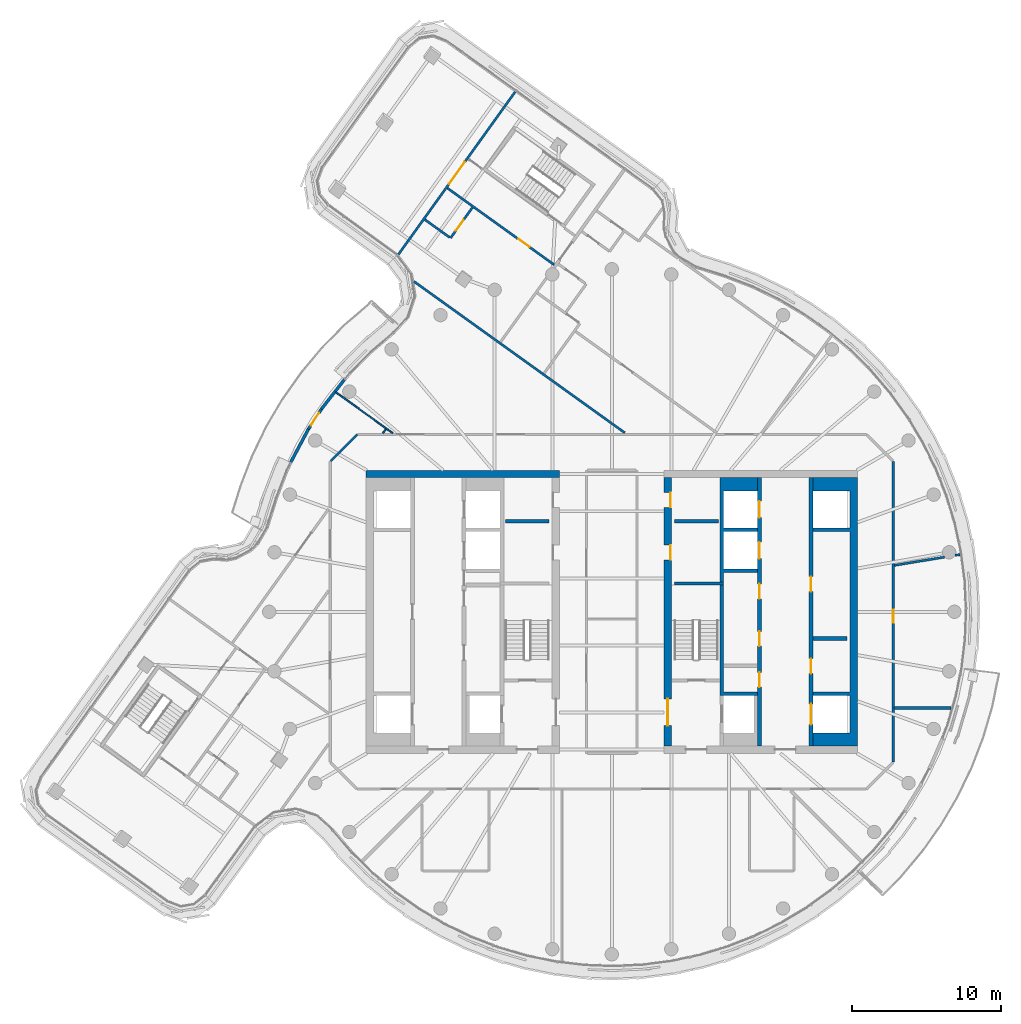
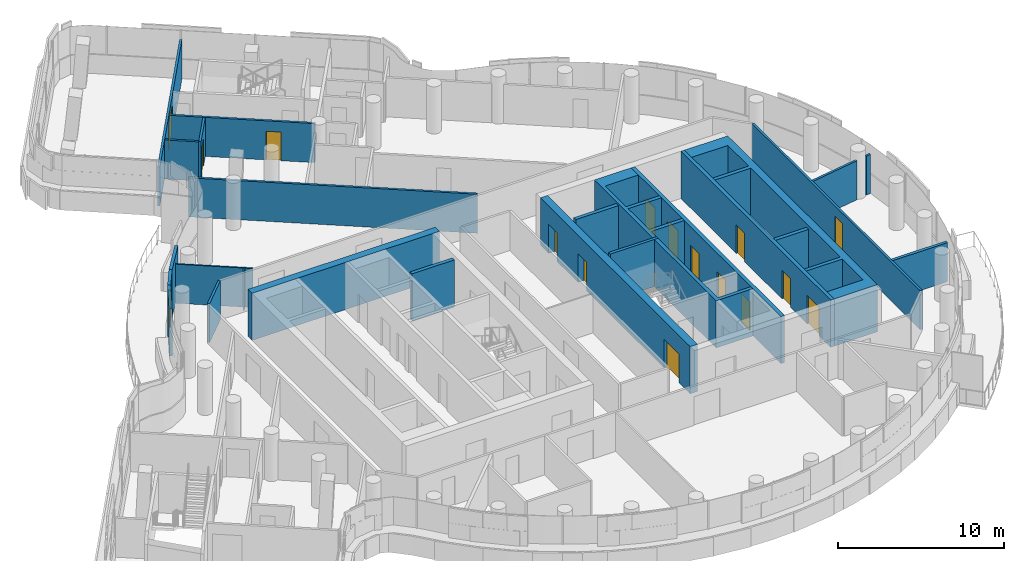
# One storey, part 19 of 27: 25 walls, 16 doors, 16 openings.
"""IFC4 building model written with IfcOpenShell, lengths in metres."""

from ifc_helpers import new_model, si_unit, direction, frame, frame_2d, origin, place, context, subcontext, project, spatial, polyline, rectangle, outline, extrude, material, layer, layer_set, type_object, element, fill, save


model = new_model("IFC4")

# Units and contexts
model_context = context("Model", 3, precision=1e-05, world=origin(), true_north=direction((0.0, 1.0)))
body_context = subcontext(model_context, "Body", "Model", "MODEL_VIEW")
ifc_project = project(units=[si_unit("LENGTHUNIT", "METRE"), si_unit("AREAUNIT", "SQUARE_METRE"), si_unit("VOLUMEUNIT", "CUBIC_METRE"), si_unit("PLANEANGLEUNIT", "RADIAN"), si_unit("MASSUNIT", "GRAM", prefix="KILO")], contexts=[model_context])

# Site, building, storey
site_placement = place(None, origin())
site = spatial("IfcSite", under=ifc_project, at=site_placement, CompositionType="ELEMENT")
building_placement = place(site_placement, origin())
building = spatial("IfcBuilding", under=site, at=building_placement, Name="Tamarind Cross Interchange Tower", CompositionType="ELEMENT")
storey_placement = place(building_placement, frame((0.0, 0.0, 230.699951171875)))
storey = spatial("IfcBuildingStorey", under=building, at=storey_placement, Name="L58", CompositionType="ELEMENT", Elevation=230.699951171875)

# Walls
ifc_material_1 = material(Name="Concrete C40", Category="concrete")
ifc_layer_1 = layer(ifc_material_1, 0.199951171875)
ifc_layer_set_1 = layer_set([ifc_layer_1], Name="Concrete C40")
wall_type_1 = type_object("IfcWallType", Name="Balcony and garden door wall", PredefinedType="SOLIDWALL", material=ifc_layer_set_1)
wall_1_placement = place(storey_placement, frame((-17.941162109375, 15.6064453125, 0.0), z_axis=(0.0, 0.0, 1.0), x_axis=(-0.614194041126, -0.789155041703, 0.0)))
element("IfcWall", 1, at=wall_1_placement, inside=storey, type_object=wall_type_1, Name="EXW-L58-06-D02L", PredefinedType="SOLIDWALL", context=body_context, shape_type="SweptSolid", body=[
    extrude(rectangle(XDim=2.533935546875, YDim=0.199951171875, at=frame_2d((1.26708984375, 0.0))), origin(), (0.0, 0.0, 1.0), 3.4599609375),
])
wall_2_placement = place(storey_placement, frame((-20.3681640625, 12.265869140625, 0.0), z_axis=(0.0, 0.0, 1.0), x_axis=(-0.470148137958, -0.882587518819, 0.0)))
element("IfcWall", 2, at=wall_2_placement, inside=storey, type_object=wall_type_1, Name="EXW-L58-06-D02R", PredefinedType="SOLIDWALL", context=body_context, shape_type="SweptSolid", body=[
    extrude(rectangle(XDim=2.5341796875, YDim=0.199951171875, at=frame_2d((1.26708984375, 0.0))), origin(), (0.0, 0.0, 1.0), 3.4599609375),
])

# Wall, opening, door
wall_3_placement = place(storey_placement, frame((-19.49755859375, 13.606689453125, 0.0), z_axis=(0.0, 0.0, 1.0), x_axis=(-0.54458033139, -0.838708687604, 0.0)))
wall_3 = element("IfcWall", 3, at=wall_3_placement, inside=storey, type_object=wall_type_1, Name="EXW-L58-06-D02", PredefinedType="SOLIDWALL", context=body_context, shape_type="SweptSolid", body=[
    extrude(rectangle(XDim=1.5986328125, YDim=0.199951171875, at=frame_2d((0.79931640625, 0.0))), origin(), (0.0, 0.0, 1.0), 3.4599609375),
])
opening_1_placement = place(wall_3_placement, frame((0.29931640625, 0.0, 0.0)))
opening_1 = element("IfcOpeningElement", 4, at=opening_1_placement, cuts=wall_3, Name="Opening D2", PredefinedType="OPENING", context=body_context, shape_type="SweptSolid", body=[
    extrude(rectangle(XDim=1.0, YDim=2.39990234375, at=frame_2d((0.5, 1.199951171875))), frame((0.0, 0.10986328125, 0.0), z_axis=(0.0, -1.0, 0.0), x_axis=(1.0, 0.0, 0.0)), (0.0, 0.0, 1.0), 0.219970703125),
])
ifc_material_2 = material(Name="Aluminium and toughened glass", Category="aluminium")
door_type_1 = type_object("IfcDoorType", Name="Balcony and garden door", OperationType="SINGLE_SWING_LEFT", PredefinedType="DOOR", material=ifc_material_2)
door_1_placement = place(opening_1_placement, origin())
door_1 = element("IfcDoor", 5, at=door_1_placement, inside=storey, type_object=door_type_1, Name="DOR-L58-06-02", OperationType="SINGLE_SWING_LEFT", OverallHeight=2.39990234375, OverallWidth=1.0, PredefinedType="DOOR", context=body_context, shape_type="SweptSolid", body=[
    extrude(rectangle(XDim=1.0, YDim=2.39990234375, at=frame_2d((0.5, 1.199951171875))), frame((0.0, 0.02490234375, 0.0), z_axis=(0.0, -1.0, 0.0), x_axis=(1.0, 0.0, 0.0)), (0.0, 0.0, 1.0), 0.050048828125),
])
fill(opening_1, door_1)

# Walls
ifc_material_3 = material(Name="Concrete C50", Category="concrete")
ifc_layer_2 = layer(ifc_material_3, 0.5)
ifc_layer_set_2 = layer_set([ifc_layer_2], Name="Concrete C50")
wall_type_2 = type_object("IfcWallType", Name="Core wall 500 mm Concrete C50", PredefinedType="SHEAR", material=ifc_layer_set_2)
wall_4_placement = place(storey_placement, frame((-16.5, 9.25, 0.0), z_axis=(0.0, 0.0, 1.0), x_axis=(1.0, 0.0, 0.0)))
element("IfcWall", 6, at=wall_4_placement, inside=storey, type_object=wall_type_2, Name="Core wall CWL-L58-W-NE", PredefinedType="SHEAR", context=body_context, shape_type="SweptSolid", body=[
    extrude(rectangle(XDim=13.0, YDim=0.5, at=frame_2d((6.5, 0.0))), origin(), (0.0, 0.0, 1.0), 3.4599609375),
])
wall_5_placement = place(storey_placement, origin())
element("IfcWall", 7, at=wall_5_placement, inside=storey, type_object=wall_type_2, Name="Core wall CWL-L58-E-A", PredefinedType="SHEAR", context=body_context, shape_type="SweptSolid", body=[
    extrude(outline(polyline([(13.5, -8.125), (13.5, -9.0), (16.0, -9.0), (16.5, -9.0), (16.5, 9.0), (16.0, 9.0), (13.5, 9.0), (13.5, 8.125), (16.0, 8.125), (16.0, 5.625), (13.5, 5.625), (13.5, 5.375), (16.0, 5.375), (16.0, -5.375), (13.5, -5.375), (13.5, -5.625), (16.0, -5.625), (16.0, -8.125), (13.5, -8.125)])), origin(), (0.0, 0.0, 1.0), 3.4599609375),
])

# Wall, openings, doors
wall_6_placement = place(storey_placement, frame((3.75, -9.0, 0.0), z_axis=(0.0, 0.0, 1.0), x_axis=(0.0, 1.0, 0.0)))
wall_6 = element("IfcWall", 8, at=wall_6_placement, inside=storey, type_object=wall_type_2, Name="Core wall CWL-L58-E-IN", PredefinedType="SHEAR", context=body_context, shape_type="SweptSolid", body=[
    extrude(rectangle(XDim=18.0, YDim=0.5, at=frame_2d((9.0, 0.0))), origin(), (0.0, 0.0, 1.0), 3.4599609375),
])
opening_2_placement = place(wall_6_placement, frame((1.35009765625, 0.0, 0.0)))
opening_2 = element("IfcOpeningElement", 9, at=opening_2_placement, cuts=wall_6, Name="Opening DCE4", PredefinedType="OPENING", context=body_context, shape_type="SweptSolid", body=[
    extrude(rectangle(XDim=1.800048828125, YDim=2.10009765625, at=frame_2d((0.89990234375, 1.050048828125))), frame((0.0, 0.260009765625, 0.0), z_axis=(0.0, -1.0, 0.0), x_axis=(1.0, 0.0, 0.0)), (0.0, 0.0, 1.0), 0.52001953125),
])
opening_3_placement = place(wall_6_placement, frame((12.4775390625, 0.0, 0.0)))
opening_3 = element("IfcOpeningElement", 10, at=opening_3_placement, cuts=wall_6, Name="Opening DCE5", PredefinedType="OPENING", context=body_context, shape_type="SweptSolid", body=[
    extrude(rectangle(XDim=1.0, YDim=2.10009765625, at=frame_2d((0.5, 1.050048828125))), frame((0.0, 0.260009765625, 0.0), z_axis=(0.0, -1.0, 0.0), x_axis=(1.0, 0.0, 0.0)), (0.0, 0.0, 1.0), 0.52001953125),
])
opening_4_placement = place(wall_6_placement, frame((16.00244140625, 0.0, 0.0)))
opening_4 = element("IfcOpeningElement", 11, at=opening_4_placement, cuts=wall_6, Name="Opening DCE5", PredefinedType="OPENING", context=body_context, shape_type="SweptSolid", body=[
    extrude(rectangle(XDim=1.0, YDim=2.10009765625, at=frame_2d((0.5, 1.050048828125))), frame((0.0, 0.260009765625, 0.0), z_axis=(0.0, -1.0, 0.0), x_axis=(1.0, 0.0, 0.0)), (0.0, 0.0, 1.0), 0.52001953125),
])
ifc_material_4 = material(Name="Steel, fire-resisting", Category="steel")
door_type_2 = type_object("IfcDoorType", Name="Core fire door 1000 x 2100 FD90", OperationType="SINGLE_SWING_LEFT", PredefinedType="DOOR", material=ifc_material_4)
door_2_placement = place(opening_3_placement, origin())
door_2 = element("IfcDoor", 12, at=door_2_placement, inside=storey, type_object=door_type_2, Name="L58 housekeeping pantry door", OperationType="SINGLE_SWING_LEFT", OverallHeight=2.10009765625, OverallWidth=1.0, PredefinedType="DOOR", context=body_context, shape_type="SweptSolid", body=[
    extrude(rectangle(XDim=1.0, YDim=2.10009765625, at=frame_2d((0.5, 1.050048828125))), frame((0.0, -0.1748046875, 0.0), z_axis=(0.0, -1.0, 0.0), x_axis=(1.0, 0.0, 0.0)), (0.0, 0.0, 1.0), 0.050048828125),
])
fill(opening_3, door_2)
door_3_placement = place(opening_4_placement, origin())
door_3 = element("IfcDoor", 13, at=door_3_placement, inside=storey, type_object=door_type_2, Name="L58 linen press door", OperationType="SINGLE_SWING_LEFT", OverallHeight=2.10009765625, OverallWidth=1.0, PredefinedType="DOOR", context=body_context, shape_type="SweptSolid", body=[
    extrude(rectangle(XDim=1.0, YDim=2.10009765625, at=frame_2d((0.5, 1.050048828125))), frame((0.0, -0.1748046875, 0.0), z_axis=(0.0, -1.0, 0.0), x_axis=(1.0, 0.0, 0.0)), (0.0, 0.0, 1.0), 0.050048828125),
])
fill(opening_4, door_3)
door_type_3 = type_object("IfcDoorType", Name="Core fire door 1800 x 2100 FD90", OperationType="SINGLE_SWING_LEFT", PredefinedType="DOOR", material=ifc_material_4)
door_4_placement = place(opening_2_placement, origin())
door_4 = element("IfcDoor", 14, at=door_4_placement, inside=storey, type_object=door_type_3, Name="L58 firefighting lobby door", OperationType="SINGLE_SWING_LEFT", OverallHeight=2.10009765625, OverallWidth=1.800048828125, PredefinedType="DOOR", context=body_context, shape_type="SweptSolid", body=[
    extrude(rectangle(XDim=1.800048828125, YDim=2.10009765625, at=frame_2d((0.89990234375, 1.050048828125))), frame((0.0, 0.02490234375, 0.0), z_axis=(0.0, -1.0, 0.0), x_axis=(1.0, 0.0, 0.0)), (0.0, 0.0, 1.0), 0.050048828125),
])
fill(opening_2, door_4)

# Walls
ifc_layer_3 = layer(ifc_material_3, 0.199951171875)
ifc_layer_set_3 = layer_set([ifc_layer_3], Name="Concrete C50")
wall_type_3 = type_object("IfcWallType", Name="Core web wall 200 mm Concrete C50", PredefinedType="SHEAR", material=ifc_layer_set_3)
wall_7_placement = place(storey_placement, frame((7.5, 1.89990234375, 0.0), z_axis=(0.0, 0.0, 1.0), x_axis=(-1.0, 0.0, 0.0)))
element("IfcWall", 15, at=wall_7_placement, inside=storey, type_object=wall_type_3, Name="Core wall CWL-L58-E-BD", PredefinedType="SHEAR", context=body_context, shape_type="SweptSolid", body=[
    extrude(rectangle(XDim=3.300048828125, YDim=0.199951171875, at=frame_2d((1.64990234375, 0.0))), origin(), (0.0, 0.0, 1.0), 3.4599609375),
])
ifc_layer_4 = layer(ifc_material_3, 0.25)
ifc_layer_set_4 = layer_set([ifc_layer_4], Name="Concrete C50")
wall_type_4 = type_object("IfcWallType", Name="Core web wall 250 mm Concrete C50", PredefinedType="SHEAR", material=ifc_layer_set_4)
wall_8_placement = place(storey_placement, origin())
element("IfcWall", 16, at=wall_8_placement, inside=storey, type_object=wall_type_4, Name="Core wall CWL-L58-E-BN", PredefinedType="SHEAR", context=body_context, shape_type="SweptSolid", body=[
    extrude(outline(polyline([(9.800048828125, -5.375), (7.5, -5.375), (7.5, 2.625), (9.800048828125, 2.625), (9.800048828125, 2.875), (7.5, 2.875), (7.5, 5.375), (9.800048828125, 5.375), (9.800048828125, 5.625), (7.5, 5.625), (7.5, 8.125), (9.800048828125, 8.125), (9.800048828125, 9.0), (7.5, 9.0), (7.25, 9.0), (7.25, -5.625), (7.5, -5.625), (9.800048828125, -5.625), (9.800048828125, -5.375)])), origin(), (0.0, 0.0, 1.0), 3.4599609375),
])

# Wall, openings, doors
wall_9_placement = place(storey_placement, frame((13.375, -9.0, 0.0), z_axis=(0.0, 0.0, 1.0), x_axis=(0.0, 1.0, 0.0)))
wall_9 = element("IfcWall", 17, at=wall_9_placement, inside=storey, type_object=wall_type_4, Name="Core wall CWL-L58-E-LA", PredefinedType="SHEAR", context=body_context, shape_type="SweptSolid", body=[
    extrude(rectangle(XDim=18.0, YDim=0.25, at=frame_2d((9.0, 0.0))), origin(), (0.0, 0.0, 1.0), 3.4599609375),
])
opening_5_placement = place(wall_9_placement, frame((1.425048828125, 0.0, 0.0)))
opening_5 = element("IfcOpeningElement", 18, at=opening_5_placement, cuts=wall_9, Name="Opening LD13L58", PredefinedType="OPENING", context=body_context, shape_type="SweptSolid", body=[
    extrude(rectangle(XDim=1.39990234375, YDim=2.10009765625, at=frame_2d((0.699951171875, 1.050048828125))), frame((0.0, 0.135009765625, 0.0), z_axis=(0.0, -1.0, 0.0), x_axis=(1.0, 0.0, 0.0)), (0.0, 0.0, 1.0), 0.27001953125),
])
opening_6_placement = place(wall_9_placement, frame((4.85400390625, 0.0, 0.0)))
opening_6 = element("IfcOpeningElement", 19, at=opening_6_placement, cuts=wall_9, Name="Opening DCE9", PredefinedType="OPENING", context=body_context, shape_type="SweptSolid", body=[
    extrude(rectangle(XDim=1.0, YDim=2.10009765625, at=frame_2d((0.5, 1.050048828125))), frame((0.0, 0.135009765625, 0.0), z_axis=(0.0, -1.0, 0.0), x_axis=(1.0, 0.0, 0.0)), (0.0, 0.0, 1.0), 0.27001953125),
])
opening_7_placement = place(wall_9_placement, frame((10.35400390625, 0.0, 0.0)))
opening_7 = element("IfcOpeningElement", 20, at=opening_7_placement, cuts=wall_9, Name="Opening DCE10", PredefinedType="OPENING", context=body_context, shape_type="SweptSolid", body=[
    extrude(rectangle(XDim=1.0, YDim=2.10009765625, at=frame_2d((0.5, 1.050048828125))), frame((0.0, 0.135009765625, 0.0), z_axis=(0.0, -1.0, 0.0), x_axis=(1.0, 0.0, 0.0)), (0.0, 0.0, 1.0), 0.27001953125),
])
door_5_placement = place(opening_6_placement, origin())
door_5 = element("IfcDoor", 21, at=door_5_placement, inside=storey, type_object=door_type_2, Name="L58 Hotel pantry door", OperationType="SINGLE_SWING_LEFT", OverallHeight=2.10009765625, OverallWidth=1.0, PredefinedType="DOOR", context=body_context, shape_type="SweptSolid", body=[
    extrude(rectangle(XDim=1.0, YDim=2.10009765625, at=frame_2d((0.5, 1.050048828125))), frame((0.0, 0.02490234375, 0.0), z_axis=(0.0, -1.0, 0.0), x_axis=(1.0, 0.0, 0.0)), (0.0, 0.0, 1.0), 0.050048828125),
])
fill(opening_6, door_5)
door_6_placement = place(opening_7_placement, origin())
door_6 = element("IfcDoor", 22, at=door_6_placement, inside=storey, type_object=door_type_2, Name="L58 Staff changing room door", OperationType="SINGLE_SWING_LEFT", OverallHeight=2.10009765625, OverallWidth=1.0, PredefinedType="DOOR", context=body_context, shape_type="SweptSolid", body=[
    extrude(rectangle(XDim=1.0, YDim=2.10009765625, at=frame_2d((0.5, 1.050048828125))), frame((0.0, 0.02490234375, 0.0), z_axis=(0.0, -1.0, 0.0), x_axis=(1.0, 0.0, 0.0)), (0.0, 0.0, 1.0), 0.050048828125),
])
fill(opening_7, door_6)
ifc_material_5 = material(Name="Stainless steel panel", Category="steel")
door_type_4 = type_object("IfcDoorType", Name="Lift landing door 1400 x 2100 E 120", OperationType="SLIDING_TO_LEFT", PredefinedType="DOOR", material=ifc_material_5)
door_7_placement = place(opening_5_placement, origin())
door_7 = element("IfcDoor", 23, at=door_7_placement, inside=storey, type_object=door_type_4, Name="L58 landing door LF13", OperationType="SLIDING_TO_LEFT", OverallHeight=2.10009765625, OverallWidth=1.39990234375, PredefinedType="DOOR", context=body_context, shape_type="SweptSolid", body=[
    extrude(rectangle(XDim=1.39990234375, YDim=2.10009765625, at=frame_2d((0.699951171875, 1.050048828125))), frame((0.0, 0.02490234375, 0.0), z_axis=(0.0, -1.0, 0.0), x_axis=(1.0, 0.0, 0.0)), (0.0, 0.0, 1.0), 0.050048828125),
])
fill(opening_5, door_7)

wall_10_placement = place(storey_placement, frame((9.925048828125, -9.0, 0.0), z_axis=(0.0, 0.0, 1.0), x_axis=(0.0, 1.0, 0.0)))
wall_10 = element("IfcWall", 24, at=wall_10_placement, inside=storey, type_object=wall_type_4, Name="Core wall CWL-L58-E-LB", PredefinedType="SHEAR", context=body_context, shape_type="SweptSolid", body=[
    extrude(rectangle(XDim=18.0, YDim=0.25, at=frame_2d((9.0, 0.0))), origin(), (0.0, 0.0, 1.0), 3.4599609375),
])
opening_8_placement = place(wall_10_placement, frame((12.574951171875, 0.0, 0.0)))
opening_8 = element("IfcOpeningElement", 25, at=opening_8_placement, cuts=wall_10, Name="Opening LD23L58", PredefinedType="OPENING", context=body_context, shape_type="SweptSolid", body=[
    extrude(rectangle(XDim=1.10009765625, YDim=2.10009765625, at=frame_2d((0.550048828125, 1.050048828125))), frame((0.0, 0.135009765625, 0.0), z_axis=(0.0, -1.0, 0.0), x_axis=(1.0, 0.0, 0.0)), (0.0, 0.0, 1.0), 0.27001953125),
])
opening_9_placement = place(wall_10_placement, frame((15.324951171875, 0.0, 0.0)))
opening_9 = element("IfcOpeningElement", 26, at=opening_9_placement, cuts=wall_10, Name="Opening LD24L58", PredefinedType="OPENING", context=body_context, shape_type="SweptSolid", body=[
    extrude(rectangle(XDim=1.10009765625, YDim=2.10009765625, at=frame_2d((0.550048828125, 1.050048828125))), frame((0.0, 0.135009765625, 0.0), z_axis=(0.0, -1.0, 0.0), x_axis=(1.0, 0.0, 0.0)), (0.0, 0.0, 1.0), 0.27001953125),
])
opening_10_placement = place(wall_10_placement, frame((3.9375, 0.0, 0.0)))
opening_10 = element("IfcOpeningElement", 27, at=opening_10_placement, cuts=wall_10, Name="Opening DCE21", PredefinedType="OPENING", context=body_context, shape_type="SweptSolid", body=[
    extrude(rectangle(XDim=1.0, YDim=2.10009765625, at=frame_2d((0.5, 1.050048828125))), frame((0.0, 0.135009765625, 0.0), z_axis=(0.0, -1.0, 0.0), x_axis=(1.0, 0.0, 0.0)), (0.0, 0.0, 1.0), 0.27001953125),
])
opening_11_placement = place(wall_10_placement, frame((6.6875, 0.0, 0.0)))
opening_11 = element("IfcOpeningElement", 28, at=opening_11_placement, cuts=wall_10, Name="Opening DCE22", PredefinedType="OPENING", context=body_context, shape_type="SweptSolid", body=[
    extrude(rectangle(XDim=1.0, YDim=2.10009765625, at=frame_2d((0.5, 1.050048828125))), frame((0.0, 0.135009765625, 0.0), z_axis=(0.0, -1.0, 0.0), x_axis=(1.0, 0.0, 0.0)), (0.0, 0.0, 1.0), 0.27001953125),
])
opening_12_placement = place(wall_10_placement, frame((9.875, 0.0, 0.0)))
opening_12 = element("IfcOpeningElement", 29, at=opening_12_placement, cuts=wall_10, Name="Opening DCE21", PredefinedType="OPENING", context=body_context, shape_type="SweptSolid", body=[
    extrude(rectangle(XDim=1.0, YDim=2.10009765625, at=frame_2d((0.5, 1.050048828125))), frame((0.0, 0.135009765625, 0.0), z_axis=(0.0, -1.0, 0.0), x_axis=(1.0, 0.0, 0.0)), (0.0, 0.0, 1.0), 0.27001953125),
])
door_8_placement = place(opening_10_placement, origin())
door_8 = element("IfcDoor", 30, at=door_8_placement, inside=storey, type_object=door_type_2, Name="L58 Linen press door", OperationType="SINGLE_SWING_LEFT", OverallHeight=2.10009765625, OverallWidth=1.0, PredefinedType="DOOR", context=body_context, shape_type="SweptSolid", body=[
    extrude(rectangle(XDim=1.0, YDim=2.10009765625, at=frame_2d((0.5, 1.050048828125))), frame((0.0, 0.02490234375, 0.0), z_axis=(0.0, -1.0, 0.0), x_axis=(1.0, 0.0, 0.0)), (0.0, 0.0, 1.0), 0.050048828125),
])
fill(opening_10, door_8)
door_9_placement = place(opening_11_placement, origin())
door_9 = element("IfcDoor", 31, at=door_9_placement, inside=storey, type_object=door_type_2, Name="L58 Hotel pantry door", OperationType="SINGLE_SWING_LEFT", OverallHeight=2.10009765625, OverallWidth=1.0, PredefinedType="DOOR", context=body_context, shape_type="SweptSolid", body=[
    extrude(rectangle(XDim=1.0, YDim=2.10009765625, at=frame_2d((0.5, 1.050048828125))), frame((0.0, 0.02490234375, 0.0), z_axis=(0.0, -1.0, 0.0), x_axis=(1.0, 0.0, 0.0)), (0.0, 0.0, 1.0), 0.050048828125),
])
fill(opening_11, door_9)
door_10_placement = place(opening_12_placement, origin())
door_10 = element("IfcDoor", 32, at=door_10_placement, inside=storey, type_object=door_type_2, Name="L58 Linen press door", OperationType="SINGLE_SWING_LEFT", OverallHeight=2.10009765625, OverallWidth=1.0, PredefinedType="DOOR", context=body_context, shape_type="SweptSolid", body=[
    extrude(rectangle(XDim=1.0, YDim=2.10009765625, at=frame_2d((0.5, 1.050048828125))), frame((0.0, 0.02490234375, 0.0), z_axis=(0.0, -1.0, 0.0), x_axis=(1.0, 0.0, 0.0)), (0.0, 0.0, 1.0), 0.050048828125),
])
fill(opening_12, door_10)
door_type_5 = type_object("IfcDoorType", Name="Lift landing door 1100 x 2100 E 120", OperationType="SLIDING_TO_LEFT", PredefinedType="DOOR", material=ifc_material_5)
door_11_placement = place(opening_8_placement, origin())
door_11 = element("IfcDoor", 33, at=door_11_placement, inside=storey, type_object=door_type_5, Name="L58 landing door LF23", OperationType="SLIDING_TO_LEFT", OverallHeight=2.10009765625, OverallWidth=1.10009765625, PredefinedType="DOOR", context=body_context, shape_type="SweptSolid", body=[
    extrude(rectangle(XDim=1.10009765625, YDim=2.10009765625, at=frame_2d((0.550048828125, 1.050048828125))), frame((0.0, 0.02490234375, 0.0), z_axis=(0.0, -1.0, 0.0), x_axis=(1.0, 0.0, 0.0)), (0.0, 0.0, 1.0), 0.050048828125),
])
fill(opening_8, door_11)
door_12_placement = place(opening_9_placement, origin())
door_12 = element("IfcDoor", 34, at=door_12_placement, inside=storey, type_object=door_type_5, Name="L58 landing door LF24", OperationType="SLIDING_TO_LEFT", OverallHeight=2.10009765625, OverallWidth=1.10009765625, PredefinedType="DOOR", context=body_context, shape_type="SweptSolid", body=[
    extrude(rectangle(XDim=1.10009765625, YDim=2.10009765625, at=frame_2d((0.550048828125, 1.050048828125))), frame((0.0, 0.02490234375, 0.0), z_axis=(0.0, -1.0, 0.0), x_axis=(1.0, 0.0, 0.0)), (0.0, 0.0, 1.0), 0.050048828125),
])
fill(opening_9, door_12)

# Walls
ifc_material_6 = material(Name="Gypsum board partition on steel studs", Category="steel")
ifc_layer_5 = layer(ifc_material_6, 0.10009765625)
ifc_layer_set_5 = layer_set([ifc_layer_5], Name="Gypsum board partition on steel studs")
wall_type_5 = type_object("IfcWallType", Name="Partition 100 mm EI 120", PredefinedType="PARTITIONING", material=ifc_layer_set_5)
wall_11_placement = place(storey_placement, frame((-18.533203125, 14.744384765625, 0.0), z_axis=(0.0, 0.0, 1.0), x_axis=(0.812404895157, -0.583093720019, 0.0)))
element("IfcWall", 35, at=wall_11_placement, inside=storey, type_object=wall_type_5, Name="Partition L58-009", PredefinedType="PARTITIONING", context=body_context, shape_type="SweptSolid", body=[
    extrude(rectangle(XDim=4.71337890625, YDim=0.10009765625, at=frame_2d((2.356689453125, 0.0))), origin(), (0.0, 0.0, 1.0), 2.864013671875),
])
ifc_layer_6 = layer(ifc_material_6, 0.10009765625)
ifc_layer_set_6 = layer_set([ifc_layer_6], Name="Gypsum board partition on steel studs")
wall_type_6 = type_object("IfcWallType", Name="Partition 100 mm EI 90", PredefinedType="PARTITIONING", material=ifc_layer_set_6)
wall_12_placement = place(storey_placement, frame((-15.36669921875, 11.9853515625, 0.0), z_axis=(0.0, 0.0, 1.0), x_axis=(0.583110991792, 0.812392498274, 0.0)))
element("IfcWall", 36, at=wall_12_placement, inside=storey, type_object=wall_type_6, Name="Partition L58-040", PredefinedType="PARTITIONING", context=body_context, shape_type="SweptSolid", body=[
    extrude(rectangle(XDim=0.344970703125, YDim=0.10009765625, at=frame_2d((0.17236328125, 0.0))), origin(), (0.0, 0.0, 1.0), 2.864013671875),
])
ifc_layer_7 = layer(ifc_material_6, 0.14990234375)
ifc_layer_set_7 = layer_set([ifc_layer_7], Name="Gypsum board partition on steel studs")
wall_type_7 = type_object("IfcWallType", Name="Partition 150 mm EI 120", PredefinedType="PARTITIONING", material=ifc_layer_set_7)
wall_13_placement = place(storey_placement, frame((-13.291015625, 22.185302734375, 0.0), z_axis=(0.0, 0.0, 1.0), x_axis=(0.812381382917, -0.583126477439, 0.0)))
element("IfcWall", 37, at=wall_13_placement, inside=storey, type_object=wall_type_7, Name="Partition L58-010", PredefinedType="PARTITIONING", context=body_context, shape_type="SweptSolid", body=[
    extrude(rectangle(XDim=17.438232421875, YDim=0.14990234375, at=frame_2d((8.71923828125, 0.0))), origin(), (0.0, 0.0, 1.0), 2.864013671875),
])
wall_14_placement = place(storey_placement, frame((-12.549072265625, 26.330322265625, 0.0), z_axis=(0.0, 0.0, 1.0), x_axis=(0.812319382751, -0.583212843142, 0.0)))
element("IfcWall", 38, at=wall_14_placement, inside=storey, type_object=wall_type_7, Name="Partition L58-011", PredefinedType="PARTITIONING", context=body_context, shape_type="SweptSolid", body=[
    extrude(rectangle(XDim=2.044921875, YDim=0.14990234375, at=frame_2d((1.0224609375, 0.0))), origin(), (0.0, 0.0, 1.0), 2.864013671875),
])

# Wall, opening, door
wall_15_placement = place(storey_placement, frame((-11.032958984375, 28.4423828125, 0.0), z_axis=(0.0, 0.0, 1.0), x_axis=(0.812313309369, -0.58322130227, 0.0)))
wall_15 = element("IfcWall", 39, at=wall_15_placement, inside=storey, type_object=wall_type_7, Name="Partition L58-012", PredefinedType="PARTITIONING", context=body_context, shape_type="SweptSolid", body=[
    extrude(rectangle(XDim=8.819580078125, YDim=0.14990234375, at=frame_2d((4.40966796875, 0.0))), origin(), (0.0, 0.0, 1.0), 2.864013671875),
])
opening_13_placement = place(wall_15_placement, frame((5.869873046875, 0.0, 0.0)))
opening_13 = element("IfcOpeningElement", 40, at=opening_13_placement, cuts=wall_15, Name="Opening D04", PredefinedType="OPENING", context=body_context, shape_type="SweptSolid", body=[
    extrude(rectangle(XDim=0.89990234375, YDim=2.10009765625, at=frame_2d((0.449951171875, 1.050048828125))), frame((0.0, 0.0849609375, 0.0), z_axis=(0.0, -1.0, 0.0), x_axis=(1.0, 0.0, 0.0)), (0.0, 0.0, 1.0), 0.169921875),
])
ifc_material_7 = material(Name="Fire-resisting door set")
door_type_6 = type_object("IfcDoorType", Name="Interior door 900 x 2100 FD60S", OperationType="SINGLE_SWING_LEFT", PredefinedType="DOOR", material=ifc_material_7)
door_13_placement = place(opening_13_placement, frame((0.89990234375, 0.0, 0.0), z_axis=(0.0, 0.0, 1.0), x_axis=(-1.0, 0.0, 0.0)))
door_13 = element("IfcDoor", 41, at=door_13_placement, inside=storey, type_object=door_type_6, Name="Door D04", OperationType="SINGLE_SWING_RIGHT", OverallHeight=2.10009765625, OverallWidth=0.89990234375, PredefinedType="DOOR", context=body_context, shape_type="SweptSolid", body=[
    extrude(rectangle(XDim=0.89990234375, YDim=2.10009765625, at=frame_2d((0.449951171875, 1.050048828125))), frame((0.0, 0.02490234375, 0.0), z_axis=(0.0, -1.0, 0.0), x_axis=(1.0, 0.0, 0.0)), (0.0, 0.0, 1.0), 0.050048828125),
])
fill(opening_13, door_13)

# Walls
wall_16_placement = place(storey_placement, frame((18.968994140625, 3.1162109375, 0.0), z_axis=(0.0, 0.0, 1.0), x_axis=(0.986773083394, 0.162107624401, 0.0)))
element("IfcWall", 42, at=wall_16_placement, inside=storey, type_object=wall_type_7, Name="Partition L58-031", PredefinedType="PARTITIONING", context=body_context, shape_type="SweptSolid", body=[
    extrude(rectangle(XDim=3.421630859375, YDim=0.14990234375, at=frame_2d((1.7109375, 0.0))), origin(), (0.0, 0.0, 1.0), 2.864013671875),
])
wall_17_placement = place(storey_placement, frame((23.05517578125, 3.787353515625, 0.0), z_axis=(0.0, 0.0, 1.0), x_axis=(0.98681781348, 0.161835110525, 0.0)))
element("IfcWall", 43, at=wall_17_placement, inside=storey, type_object=wall_type_7, Name="Partition L58-032", PredefinedType="PARTITIONING", context=body_context, shape_type="SweptSolid", body=[
    extrude(rectangle(XDim=0.324462890625, YDim=0.14990234375, at=frame_2d((0.162109375, 0.0))), origin(), (0.0, 0.0, 1.0), 2.864013671875),
])
wall_18_placement = place(storey_placement, frame((-18.87158203125, 10.12841796875, 0.0), z_axis=(0.0, 0.0, 1.0), x_axis=(0.707106781187, 0.707106781187, 0.0)))
element("IfcWall", 44, at=wall_18_placement, inside=storey, type_object=wall_type_7, Name="Partition L58-033", PredefinedType="PARTITIONING", context=body_context, shape_type="SweptSolid", body=[
    extrude(rectangle(XDim=2.50537109375, YDim=0.14990234375, at=frame_2d((1.252685546875, 0.0))), origin(), (0.0, 0.0, 1.0), 2.864013671875),
])

# Wall, opening, door
wall_19_placement = place(storey_placement, frame((-14.32666015625, 23.99169921875, 0.0), z_axis=(0.0, 0.0, 1.0), x_axis=(0.583201248802, 0.812327706899, 0.0)))
wall_19 = element("IfcWall", 45, at=wall_19_placement, inside=storey, type_object=wall_type_7, Name="Partition L58-043", PredefinedType="PARTITIONING", context=body_context, shape_type="SweptSolid", body=[
    extrude(rectangle(XDim=13.435302734375, YDim=0.14990234375, at=frame_2d((6.7177734375, 0.0))), origin(), (0.0, 0.0, 1.0), 2.864013671875),
])
opening_14_placement = place(wall_19_placement, frame((5.836181640625, 0.0, 0.0)))
opening_14 = element("IfcOpeningElement", 46, at=opening_14_placement, cuts=wall_19, Name="Opening D24", PredefinedType="OPENING", context=body_context, shape_type="SweptSolid", body=[
    extrude(rectangle(XDim=1.800048828125, YDim=2.10009765625, at=frame_2d((0.89990234375, 1.050048828125))), frame((0.0, 0.0849609375, 0.0), z_axis=(0.0, -1.0, 0.0), x_axis=(1.0, 0.0, 0.0)), (0.0, 0.0, 1.0), 0.169921875),
])
door_type_7 = type_object("IfcDoorType", Name="Interior door 1800 x 2100 FD60S", OperationType="DOUBLE_DOOR_SINGLE_SWING", PredefinedType="DOOR", material=ifc_material_7)
door_14_placement = place(opening_14_placement, origin())
door_14 = element("IfcDoor", 47, at=door_14_placement, inside=storey, type_object=door_type_7, Name="Door D24", OperationType="DOUBLE_DOOR_SINGLE_SWING", OverallHeight=2.10009765625, OverallWidth=1.800048828125, PredefinedType="DOOR", context=body_context, shape_type="SweptSolid", body=[
    extrude(rectangle(XDim=1.800048828125, YDim=2.10009765625, at=frame_2d((0.89990234375, 1.050048828125))), frame((0.0, 0.02490234375, 0.0), z_axis=(0.0, -1.0, 0.0), x_axis=(1.0, 0.0, 0.0)), (0.0, 0.0, 1.0), 0.050048828125),
])
fill(opening_14, door_14)

wall_20_placement = place(storey_placement, frame((-10.826904296875, 25.093994140625, 0.0), z_axis=(0.0, 0.0, 1.0), x_axis=(0.583078907408, 0.812415526523, 0.0)))
wall_20 = element("IfcWall", 48, at=wall_20_placement, inside=storey, type_object=wall_type_7, Name="Partition L58-044", PredefinedType="PARTITIONING", context=body_context, shape_type="SweptSolid", body=[
    extrude(rectangle(XDim=2.519775390625, YDim=0.14990234375, at=frame_2d((1.259765625, 0.0))), origin(), (0.0, 0.0, 1.0), 2.864013671875),
])
opening_15_placement = place(wall_20_placement, frame((0.60009765625, 0.0, 0.0)))
opening_15 = element("IfcOpeningElement", 49, at=opening_15_placement, cuts=wall_20, Name="Opening D25", PredefinedType="OPENING", context=body_context, shape_type="SweptSolid", body=[
    extrude(rectangle(XDim=0.89990234375, YDim=2.10009765625, at=frame_2d((0.449951171875, 1.050048828125))), frame((0.0, 0.0849609375, 0.0), z_axis=(0.0, -1.0, 0.0), x_axis=(1.0, 0.0, 0.0)), (0.0, 0.0, 1.0), 0.169921875),
])
door_15_placement = place(opening_15_placement, origin())
door_15 = element("IfcDoor", 50, at=door_15_placement, inside=storey, type_object=door_type_6, Name="Door D25", OperationType="SINGLE_SWING_RIGHT", OverallHeight=2.10009765625, OverallWidth=0.89990234375, PredefinedType="DOOR", context=body_context, shape_type="SweptSolid", body=[
    extrude(rectangle(XDim=0.89990234375, YDim=2.10009765625, at=frame_2d((0.449951171875, 1.050048828125))), frame((0.0, 0.02490234375, 0.0), z_axis=(0.0, -1.0, 0.0), x_axis=(1.0, 0.0, 0.0)), (0.0, 0.0, 1.0), 0.050048828125),
])
fill(opening_15, door_15)

wall_21_placement = place(storey_placement, frame((18.89990234375, -10.10009765625, 0.0), z_axis=(0.0, 0.0, 1.0), x_axis=(0.0, 1.0, 0.0)))
wall_21 = element("IfcWall", 51, at=wall_21_placement, inside=storey, type_object=wall_type_7, Name="Partition L58-060", PredefinedType="PARTITIONING", context=body_context, shape_type="SweptSolid", body=[
    extrude(rectangle(XDim=20.2001953125, YDim=0.14990234375, at=frame_2d((10.10009765625, 0.0))), origin(), (0.0, 0.0, 1.0), 2.864013671875),
])
opening_16_placement = place(wall_21_placement, frame((9.35009765625, 0.0, 0.0)))
opening_16 = element("IfcOpeningElement", 52, at=opening_16_placement, cuts=wall_21, Name="Opening D31", PredefinedType="OPENING", context=body_context, shape_type="SweptSolid", body=[
    extrude(rectangle(XDim=0.89990234375, YDim=2.10009765625, at=frame_2d((0.449951171875, 1.050048828125))), frame((0.0, 0.0849609375, 0.0), z_axis=(0.0, -1.0, 0.0), x_axis=(1.0, 0.0, 0.0)), (0.0, 0.0, 1.0), 0.169921875),
])
door_16_placement = place(opening_16_placement, frame((0.89990234375, 0.0, 0.0), z_axis=(0.0, 0.0, 1.0), x_axis=(-1.0, 0.0, 0.0)))
door_16 = element("IfcDoor", 53, at=door_16_placement, inside=storey, type_object=door_type_6, Name="Door D31", OperationType="SINGLE_SWING_LEFT", OverallHeight=2.10009765625, OverallWidth=0.89990234375, PredefinedType="DOOR", context=body_context, shape_type="SweptSolid", body=[
    extrude(rectangle(XDim=0.89990234375, YDim=2.10009765625, at=frame_2d((0.449951171875, 1.050048828125))), frame((0.0, 0.02490234375, 0.0), z_axis=(0.0, -1.0, 0.0), x_axis=(1.0, 0.0, 0.0)), (0.0, 0.0, 1.0), 0.050048828125),
])
fill(opening_16, door_16)

# Walls
ifc_layer_8 = layer(ifc_material_6, 0.199951171875)
ifc_layer_set_8 = layer_set([ifc_layer_8], Name="Gypsum board partition on steel studs")
wall_type_8 = type_object("IfcWallType", Name="Partition 200 mm EI 180", PredefinedType="PARTITIONING", material=ifc_layer_set_8)
wall_22_placement = place(storey_placement, frame((18.955078125, -6.449951171875, 0.0), z_axis=(0.0, 0.0, 1.0), x_axis=(1.0, 0.0, 0.0)))
element("IfcWall", 54, at=wall_22_placement, inside=storey, type_object=wall_type_8, Name="Partition L58-030", PredefinedType="PARTITIONING", context=body_context, shape_type="SweptSolid", body=[
    extrude(rectangle(XDim=3.82470703125, YDim=0.199951171875, at=frame_2d((1.912353515625, 0.0))), origin(), (0.0, 0.0, 1.0), 2.864013671875),
])
ifc_layer_9 = layer(ifc_material_1, 0.25)
ifc_layer_set_9 = layer_set([ifc_layer_9], Name="Concrete C40")
wall_type_9 = type_object("IfcWallType", Name="Shaft and lobby wall 250 mm Concrete C40", PredefinedType="PARTITIONING", material=ifc_layer_set_9)
for number, where, z_axis, x_axis, name in (
    (55, (-7.14990234375, 6.080078125, 0.0), (0.0, 0.0, 1.0), (1.0, 0.0, 0.0), "Shaft wall CWL-L58-W-SVP"),
    (56, (7.14990234375, 6.080078125, 0.0), (0.0, 0.0, 1.0), (-1.0, 0.0, 0.0), "Shaft wall CWL-L58-E-SVP"),
):
    element("IfcWall", number, at=place(storey_placement, frame(where, z_axis=z_axis, x_axis=x_axis)), inside=storey, type_object=wall_type_9, Name=name, PredefinedType="PARTITIONING", context=body_context, shape_type="SweptSolid", body=[
        extrude(rectangle(XDim=2.949951171875, YDim=0.25, at=frame_2d((1.47509765625, 0.0))), origin(), (0.0, 0.0, 1.0), 3.4599609375),
    ])
wall_23_placement = place(storey_placement, frame((15.800048828125, -1.7919921875, 0.0), z_axis=(0.0, 0.0, 1.0), x_axis=(-1.0, 0.0, 0.0)))
element("IfcWall", 57, at=wall_23_placement, inside=storey, type_object=wall_type_9, Name="Shaft wall CWL-L58-E-FPA1", PredefinedType="PARTITIONING", context=body_context, shape_type="SweptSolid", body=[
    extrude(rectangle(XDim=2.300048828125, YDim=0.25, at=frame_2d((1.14990234375, 0.0))), origin(), (0.0, 0.0, 1.0), 3.4599609375),
])

save(model, "model.ifc")
